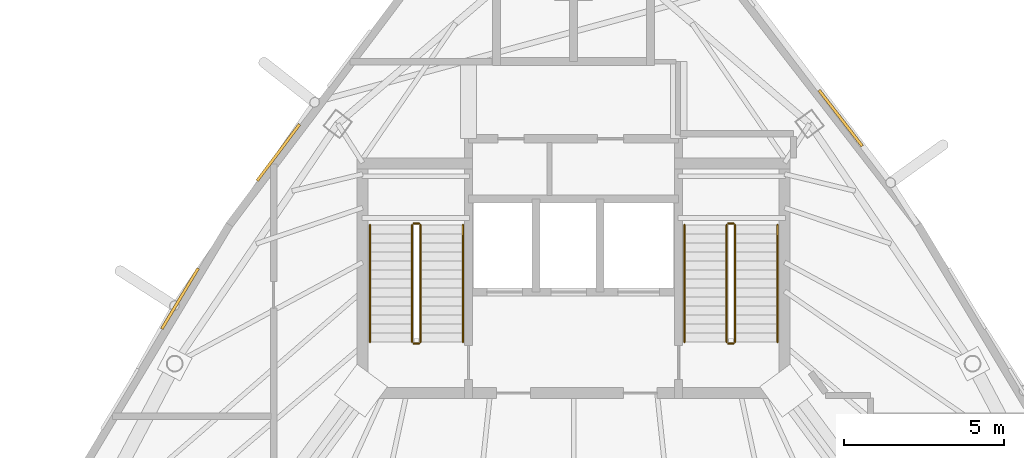
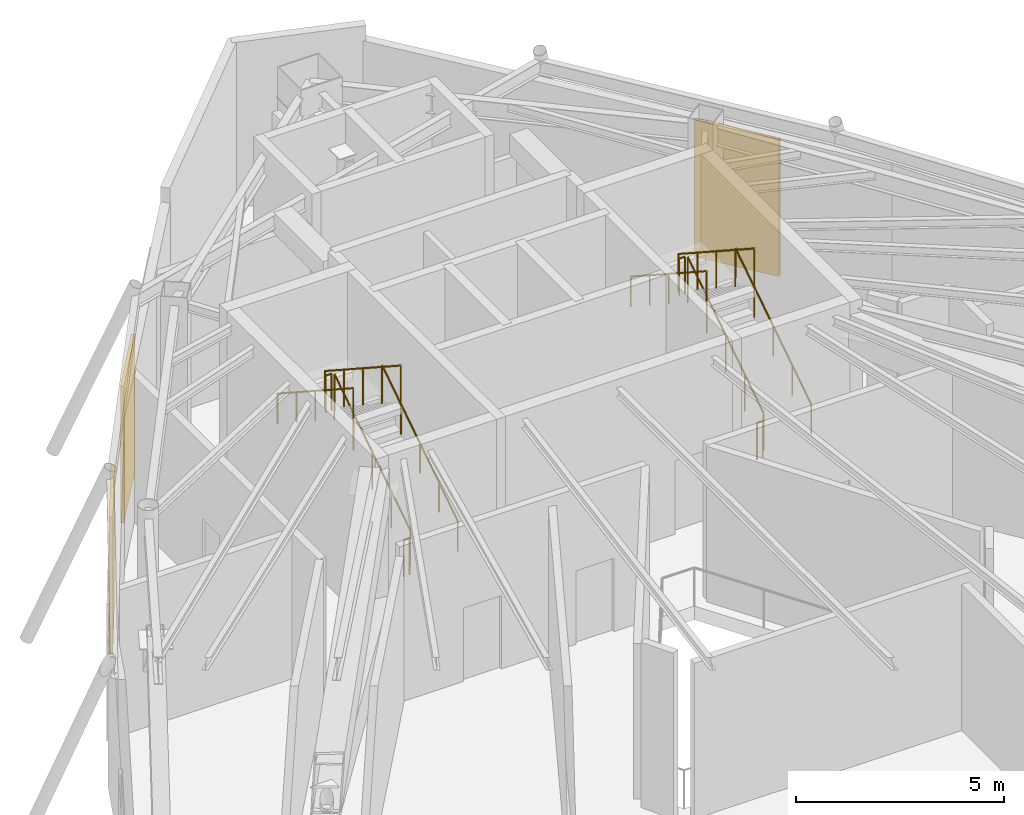
# One storey, part 8 of 9: 12 railings, 3 shading devices.
"""IFC4 building model written with IfcOpenShell, lengths in metres."""

import ifcopenshell
import ifcopenshell.guid

model = None  # the IFC model being written
_history = None  # IfcOwnerHistory: only IFC2X3 demands one
_inside = {}  # id of a spatial element -> (the spatial element, [elements in it])
_under = {}  # id of a project, library or spatial element -> (it, [spatial elements below it])
_declared = {}  # id of a project -> (the project, [libraries it declares])
_typed = {}  # id of a type object -> (the type object, [elements of that type])
_made_of = {}  # id of a material, layer set ... -> (it, [elements and type objects made of it])


def new_model(schema):
    """Start an empty IFC model of exactly this schema.

    Asked for "IFC4X3", IfcOpenShell would pick the latest addendum, in which some entities
    have other attributes; the version numbers below select the first issue.
    IFC2X3 requires an IfcOwnerHistory on every rooted entity: one is made here for all.
    """
    global model, _history
    if schema == "IFC4X3":
        model = ifcopenshell.file(schema_version=(4, 3, 0, 0))
    else:
        model = ifcopenshell.file(schema=schema)
    _inside.clear()
    _under.clear()
    _declared.clear()
    _typed.clear()
    _made_of.clear()
    _history = None
    if model.schema == "IFC2X3":
        org = make("IfcOrganization", Name="unknown")
        user = make(
            "IfcPersonAndOrganization",
            ThePerson=make("IfcPerson", FamilyName="unknown"),
            TheOrganization=org,
        )
        app = make(
            "IfcApplication",
            ApplicationDeveloper=org,
            Version="unknown",
            ApplicationFullName="unknown",
            ApplicationIdentifier="unknown",
        )
        _history = make(
            "IfcOwnerHistory",
            OwningUser=user,
            OwningApplication=app,
            ChangeAction="ADDED",
            CreationDate=0,
        )
    return model


def make(cls, **values):
    """One entity of the class cls with the attributes given. An attribute that is None is left unset."""
    return model.create_entity(
        cls, **{name: value for name, value in values.items() if value is not None}
    )


def rooted(cls, **values):
    """An entity with a GlobalId (a new one), such as an element, a storey or a relation."""
    return make(cls, GlobalId=ifcopenshell.guid.new(), OwnerHistory=_history, **values)


def si_unit(unit_type, name, prefix=None):
    """IfcSIUnit, for example si_unit("LENGTHUNIT", "METRE", prefix="MILLI")."""
    return make("IfcSIUnit", UnitType=unit_type, Prefix=prefix, Name=name)


def assignment(units):
    """IfcUnitAssignment: the units of a project."""
    return None if units is None else make("IfcUnitAssignment", Units=units)


def point(xyz):
    """IfcCartesianPoint."""
    return None if xyz is None else make("IfcCartesianPoint", Coordinates=xyz)


def direction(xyz):
    """IfcDirection."""
    return None if xyz is None else make("IfcDirection", DirectionRatios=xyz)


def frame(location, z_axis=None, x_axis=None):
    """IfcAxis2Placement3D, a coordinate frame: its origin and axes. An axis left out is left unset."""
    return make(
        "IfcAxis2Placement3D",
        Location=point(location),
        Axis=direction(z_axis),
        RefDirection=direction(x_axis),
    )


def frame_2d(location, x_axis=None):
    """IfcAxis2Placement2D, a coordinate frame in the plane: its origin and x axis."""
    return make(
        "IfcAxis2Placement2D", Location=point(location), RefDirection=direction(x_axis)
    )


def origin():
    """The frame at (0, 0, 0) with its axes left unset."""
    return frame((0.0, 0.0, 0.0))


def origin_2d():
    """The frame at (0, 0) in the plane with its x axis left unset."""
    return frame_2d((0.0, 0.0))


def place(relative_to, where):
    """IfcLocalPlacement: puts the frame where relative to a parent placement (None: the world)."""
    return make(
        "IfcLocalPlacement", PlacementRelTo=relative_to, RelativePlacement=where
    )


def context(
    kind, dimensions, precision=None, world=None, true_north=None, identifier=None
):
    """IfcGeometricRepresentationContext, for example the 3D "Model" context."""
    return make(
        "IfcGeometricRepresentationContext",
        ContextIdentifier=identifier,
        ContextType=kind,
        CoordinateSpaceDimension=dimensions,
        Precision=precision,
        WorldCoordinateSystem=world,
        TrueNorth=true_north,
    )


def subcontext(parent, identifier, kind, view, scale=None):
    """IfcGeometricRepresentationSubContext, for example "Body" below "Model"."""
    return make(
        "IfcGeometricRepresentationSubContext",
        ContextIdentifier=identifier,
        ContextType=kind,
        ParentContext=parent,
        TargetScale=scale,
        TargetView=view,
    )


def project(units=None, contexts=None):
    """IfcProject with its units and contexts."""
    return rooted(
        "IfcProject",
        Name="project",
        RepresentationContexts=contexts,
        UnitsInContext=assignment(units),
    )


def spatial(cls, under=None, at=None, **own):
    """A site, building, storey or space (cls), placed at a placement, below another one or the project."""
    s = rooted(cls, ObjectPlacement=at, **own)
    if under is not None:
        _under.setdefault(under.id(), (under, []))[1].append(s)
    return s


def profile(cls, at=None, kind="AREA", **sizes):
    """A parametric profile (cls). Its sizes go by their IFC names, for example OverallWidth=200.0."""
    return make(cls, ProfileType=kind, Position=at, **sizes)


def rectangle(**sizes):
    """IfcRectangleProfileDef."""
    return profile("IfcRectangleProfileDef", **sizes)


def circle(**sizes):
    """IfcCircleProfileDef."""
    return profile("IfcCircleProfileDef", **sizes)


def extrude(swept, where, along, depth):
    """IfcExtrudedAreaSolid: the profile swept, set in the frame where, extruded along a direction by depth."""
    return make(
        "IfcExtrudedAreaSolid",
        SweptArea=swept,
        Position=where,
        ExtrudedDirection=direction(along),
        Depth=depth,
    )


def shape(context_of_items, identifier, shape_type, items):
    """IfcShapeRepresentation: the items that make up one representation, for example the "Body"."""
    return make(
        "IfcShapeRepresentation",
        ContextOfItems=context_of_items,
        RepresentationIdentifier=identifier,
        RepresentationType=shape_type,
        Items=items,
    )


def material(Name=None, Category=None):
    """IfcMaterial."""
    return make("IfcMaterial", Name=Name, Category=Category)


def layer(
    of_material, thickness, ventilated=None, Name=None, Category=None, Priority=None
):
    """IfcMaterialLayer: one layer of a wall or slab, of a material (None: an air gap)."""
    return make(
        "IfcMaterialLayer",
        Material=of_material,
        LayerThickness=thickness,
        IsVentilated=ventilated,
        Name=Name,
        Category=Category,
        Priority=Priority,
    )


def layer_set(layers, Name=None):
    """IfcMaterialLayerSet."""
    return make("IfcMaterialLayerSet", MaterialLayers=layers, LayerSetName=Name)


def made_of(thing, what):
    """Note that an element or type object is made of a material, layer set ...; save() writes the relation."""
    if what is not None:
        _made_of.setdefault(what.id(), (what, []))[1].append(thing)
    return thing


def type_object(cls, material=None, **own):
    """A type object (cls), such as IfcWallType, which elements share."""
    return made_of(rooted(cls, **own), material)


def element(
    cls,
    number,
    at=None,
    inside=None,
    cuts=None,
    type_object=None,
    material=None,
    context=None,
    identifier="Body",
    shape_type=None,
    held_by="IfcProductDefinitionShape",
    body=None,
    shapes=None,
    **own,
):
    """One element of the class cls, such as IfcWall. Its Tag is "e" and its number.

    at: its placement. inside: the storey or other place that contains it. cuts: it is an
    opening in that element (IfcRelVoidsElement). A single representation is given by context,
    identifier, shape_type and body (its items); several are given by shapes. held_by: the class
    of the entity that holds the representations. save() writes the other relations.
    """
    e = rooted(cls, Tag="e%d" % number, ObjectPlacement=at, **own)
    if body is not None:
        shapes = [shape(context, identifier, shape_type, body)]
    if shapes is not None:
        e.Representation = make(held_by, Representations=shapes)
    if inside is not None:
        _inside.setdefault(inside.id(), (inside, []))[1].append(e)
    if cuts is not None:
        rooted(
            "IfcRelVoidsElement", RelatingBuildingElement=cuts, RelatedOpeningElement=e
        )
    if type_object is not None:
        _typed.setdefault(type_object.id(), (type_object, []))[1].append(e)
    return made_of(e, material)


def aggregate(whole, parts):
    """IfcRelAggregates: a whole, such as a stair, and the parts it consists of."""
    return rooted("IfcRelAggregates", RelatingObject=whole, RelatedObjects=parts)


def save(model, path):
    """Write the relations noted so far, then the file.

    IfcRelAggregates (storeys below a building ...), IfcRelContainedInSpatialStructure (elements
    in a storey), IfcRelDefinesByType, IfcRelAssociatesMaterial and IfcRelDeclares: one each for
    every whole, place, type object, material and project.
    """
    for whole, parts in _under.values():
        aggregate(whole, parts)
    for where, things in _inside.values():
        rooted(
            "IfcRelContainedInSpatialStructure",
            RelatedElements=things,
            RelatingStructure=where,
        )
    for kind, things in _typed.values():
        rooted("IfcRelDefinesByType", RelatedObjects=things, RelatingType=kind)
    for what, things in _made_of.values():
        rooted("IfcRelAssociatesMaterial", RelatedObjects=things, RelatingMaterial=what)
    for by, libraries in _declared.values():
        rooted("IfcRelDeclares", RelatingContext=by, RelatedDefinitions=libraries)
    model.write(path)


model = new_model("IFC4")

# Units and contexts
model_context = context("Model", 3, precision=1e-05, world=origin(), true_north=direction((0.0, 1.0)))
body_context = subcontext(model_context, "Body", "Model", "MODEL_VIEW")
ifc_project = project(units=[si_unit("LENGTHUNIT", "METRE"), si_unit("AREAUNIT", "SQUARE_METRE"), si_unit("VOLUMEUNIT", "CUBIC_METRE"), si_unit("PLANEANGLEUNIT", "RADIAN"), si_unit("MASSUNIT", "GRAM", prefix="KILO")], contexts=[model_context])

# Site, building, storey
site_placement = place(None, origin())
site = spatial("IfcSite", under=ifc_project, at=site_placement, CompositionType="ELEMENT")
building_placement = place(site_placement, origin())
building = spatial("IfcBuilding", under=site, at=building_placement, Name="Orvanel Arch Residences", CompositionType="ELEMENT")
storey_placement = place(building_placement, frame((0.0, 0.0, 281.0)))
storey = spatial("IfcBuildingStorey", under=building, at=storey_placement, Name="L80", CompositionType="ELEMENT", Elevation=281.0)

# Shading devices
ifc_material_1 = material(Name="Insulated bronze-anodised aluminium spandrel panel", Category="aluminium")
ifc_layer = layer(ifc_material_1, 0.090087890625)
ifc_layer_set = layer_set([ifc_layer], Name="Insulated bronze-anodised aluminium spandrel panel")
shading_device_type = type_object("IfcShadingDeviceType", Name="LVR-PLT-90", PredefinedType="USERDEFINED", material=ifc_layer_set)
for number, where, z_axis, x_axis, name in (
    (1, (23.800048828125, 34.220947265625, 0.2001953125), (0.0, 0.0, 1.0), (-0.600420225326, -0.799684658487, 0.0), "L80 Mechanical Intake Louvre Panel F1-2"),
    (2, (20.73388671875, 29.6669921875, 0.2001953125), (0.0, 0.0, 1.0), (-0.51503807491, -0.857167300702, 0.0), "L80 Mechanical Intake Louvre Panel F1-3"),
    (3, (41.322021484375, 35.291015625, 0.2001953125), (0.0, 0.0, 1.0), (-0.611527040186, 0.791223532967, 0.0), "L80 Mechanical Intake Louvre Panel F3-5"),
):
    element("IfcShadingDevice", number, at=place(storey_placement, frame(where, z_axis=z_axis, x_axis=x_axis)), inside=storey, type_object=shading_device_type, Name=name, ObjectType="LOUVRE", PredefinedType="USERDEFINED", context=body_context, shape_type="SweptSolid", body=[
        extrude(rectangle(XDim=2.199951171875, YDim=0.090087890625, at=origin_2d()), origin(), (0.0, 0.0, 1.0), 4.013916015625),
    ])

# Railings
ifc_material_2 = material(Name="Structural steel AS/NZS 1163 C350L0 (Grade 350)", Category="steel")
railing_type_1 = type_object("IfcRailingType", Name="RL-STAIR-GUARD", PredefinedType="GUARDRAIL", material=ifc_material_2)
railing_1_placement = place(storey_placement, frame((28.22998046875, 28.320068359375, 0.18212890625)))
element("IfcRailing", 4, at=railing_1_placement, inside=storey, type_object=railing_type_1, Name="L80 ST-1 stair guard 1", PredefinedType="GUARDRAIL", context=body_context, shape_type="SweptSolid", body=[
    extrude(circle(Radius=0.02392578125, at=origin_2d()), frame((0.0, 0.001220703125, 1.076904296875), z_axis=(0.0, 0.838234174257, 0.545310433706), x_axis=(-1.0, 0.0, 0.0)), (0.0, 0.0, 1.0), 4.33935546875),
    extrude(circle(Radius=0.02099609375, at=origin_2d()), origin(), (0.0, 0.0, 1.0), 1.050048828125),
    extrude(circle(Radius=0.02099609375, at=origin_2d()), frame((0.0, 0.909912109375, 0.592041015625)), (0.0, 0.0, 1.0), 1.050048828125),
    extrude(circle(Radius=0.02099609375, at=origin_2d()), frame((0.0, 1.81982421875, 1.18408203125)), (0.0, 0.0, 1.0), 1.050048828125),
    extrude(circle(Radius=0.02099609375, at=origin_2d()), frame((0.0, 2.72998046875, 1.77587890625)), (0.0, 0.0, 1.0), 1.050048828125),
    extrude(circle(Radius=0.02099609375, at=origin_2d()), frame((0.0, 3.639892578125, 2.367919921875)), (0.0, 0.0, 1.0), 1.050048828125),
])
railing_2_placement = place(storey_placement, frame((28.179931640625, 32.010009765625, 2.550048828125)))
element("IfcRailing", 5, at=railing_2_placement, inside=storey, type_object=railing_type_1, Name="L80 ST-1 stair guard 2", PredefinedType="GUARDRAIL", context=body_context, shape_type="SweptSolid", body=[
    extrude(circle(Radius=0.02392578125, at=origin_2d()), frame((-0.00146484375, 0.0, 1.076171875), z_axis=(-1.0, 0.0, 0.0), x_axis=(0.0, -1.0, 0.0)), (0.0, 0.0, 1.0), 0.156982421875),
    extrude(circle(Radius=0.02099609375, at=origin_2d()), origin(), (0.0, 0.0, 1.0), 1.050048828125),
    extrude(circle(Radius=0.02099609375, at=origin_2d()), frame((-0.159912109375, 0.0, 0.0)), (0.0, 0.0, 1.0), 1.050048828125),
])
railing_3_placement = place(storey_placement, frame((27.969970703125, 31.9599609375, 2.732177734375)))
element("IfcRailing", 6, at=railing_3_placement, inside=storey, type_object=railing_type_1, Name="L80 ST-1 stair guard 3", PredefinedType="GUARDRAIL", context=body_context, shape_type="SweptSolid", body=[
    extrude(circle(Radius=0.02392578125, at=origin_2d()), frame((0.0, -0.001220703125, 1.076904296875), z_axis=(0.0, -0.838234174257, 0.545310433706), x_axis=(1.0, 0.0, 0.0)), (0.0, 0.0, 1.0), 4.33935546875),
    extrude(circle(Radius=0.02099609375, at=origin_2d()), origin(), (0.0, 0.0, 1.0), 1.050048828125),
    extrude(circle(Radius=0.02099609375, at=origin_2d()), frame((0.0, -0.909912109375, 0.592041015625)), (0.0, 0.0, 1.0), 1.050048828125),
    extrude(circle(Radius=0.02099609375, at=origin_2d()), frame((0.0, -1.81982421875, 1.18408203125)), (0.0, 0.0, 1.0), 1.050048828125),
    extrude(circle(Radius=0.02099609375, at=origin_2d()), frame((0.0, -2.72998046875, 1.77587890625)), (0.0, 0.0, 1.0), 1.050048828125),
    extrude(circle(Radius=0.02099609375, at=origin_2d()), frame((0.0, -3.639892578125, 2.367919921875)), (0.0, 0.0, 1.0), 1.050048828125),
])
railing_4_placement = place(storey_placement, frame((28.179931640625, 28.27001953125, 0.0)))
element("IfcRailing", 7, at=railing_4_placement, inside=storey, type_object=railing_type_1, Name="L80 ST-1 stair guard 4", PredefinedType="GUARDRAIL", context=body_context, shape_type="SweptSolid", body=[
    extrude(circle(Radius=0.02392578125, at=origin_2d()), frame((-0.00146484375, 0.0, 1.076171875), z_axis=(-1.0, 0.0, 0.0), x_axis=(0.0, -1.0, 0.0)), (0.0, 0.0, 1.0), 0.156982421875),
    extrude(circle(Radius=0.02099609375, at=origin_2d()), origin(), (0.0, 0.0, 1.0), 1.050048828125),
    extrude(circle(Radius=0.02099609375, at=origin_2d()), frame((-0.159912109375, 0.0, 0.0)), (0.0, 0.0, 1.0), 1.050048828125),
])
railing_5_placement = place(storey_placement, frame((38.030029296875, 28.320068359375, 0.18212890625)))
element("IfcRailing", 8, at=railing_5_placement, inside=storey, type_object=railing_type_1, Name="L80 ST-2 stair guard 1", PredefinedType="GUARDRAIL", context=body_context, shape_type="SweptSolid", body=[
    extrude(circle(Radius=0.02392578125, at=origin_2d()), frame((0.0, 0.001220703125, 1.076904296875), z_axis=(0.0, 0.838234174257, 0.545310433706), x_axis=(-1.0, 0.0, 0.0)), (0.0, 0.0, 1.0), 4.33935546875),
    extrude(circle(Radius=0.02099609375, at=origin_2d()), origin(), (0.0, 0.0, 1.0), 1.050048828125),
    extrude(circle(Radius=0.02099609375, at=origin_2d()), frame((0.0, 0.909912109375, 0.592041015625)), (0.0, 0.0, 1.0), 1.050048828125),
    extrude(circle(Radius=0.02099609375, at=origin_2d()), frame((0.0, 1.81982421875, 1.18408203125)), (0.0, 0.0, 1.0), 1.050048828125),
    extrude(circle(Radius=0.02099609375, at=origin_2d()), frame((0.0, 2.72998046875, 1.77587890625)), (0.0, 0.0, 1.0), 1.050048828125),
    extrude(circle(Radius=0.02099609375, at=origin_2d()), frame((0.0, 3.639892578125, 2.367919921875)), (0.0, 0.0, 1.0), 1.050048828125),
])
railing_6_placement = place(storey_placement, frame((37.97998046875, 32.010009765625, 2.550048828125)))
element("IfcRailing", 9, at=railing_6_placement, inside=storey, type_object=railing_type_1, Name="L80 ST-2 stair guard 2", PredefinedType="GUARDRAIL", context=body_context, shape_type="SweptSolid", body=[
    extrude(circle(Radius=0.02392578125, at=origin_2d()), frame((-0.00146484375, 0.0, 1.076171875), z_axis=(-1.0, 0.0, 0.0), x_axis=(0.0, -1.0, 0.0)), (0.0, 0.0, 1.0), 0.156982421875),
    extrude(circle(Radius=0.02099609375, at=origin_2d()), origin(), (0.0, 0.0, 1.0), 1.050048828125),
    extrude(circle(Radius=0.02099609375, at=origin_2d()), frame((-0.159912109375, 0.0, 0.0)), (0.0, 0.0, 1.0), 1.050048828125),
])
railing_7_placement = place(storey_placement, frame((37.77001953125, 31.9599609375, 2.732177734375)))
element("IfcRailing", 10, at=railing_7_placement, inside=storey, type_object=railing_type_1, Name="L80 ST-2 stair guard 3", PredefinedType="GUARDRAIL", context=body_context, shape_type="SweptSolid", body=[
    extrude(circle(Radius=0.02392578125, at=origin_2d()), frame((0.0, -0.001220703125, 1.076904296875), z_axis=(0.0, -0.838234174257, 0.545310433706), x_axis=(1.0, 0.0, 0.0)), (0.0, 0.0, 1.0), 4.33935546875),
    extrude(circle(Radius=0.02099609375, at=origin_2d()), origin(), (0.0, 0.0, 1.0), 1.050048828125),
    extrude(circle(Radius=0.02099609375, at=origin_2d()), frame((0.0, -0.909912109375, 0.592041015625)), (0.0, 0.0, 1.0), 1.050048828125),
    extrude(circle(Radius=0.02099609375, at=origin_2d()), frame((0.0, -1.81982421875, 1.18408203125)), (0.0, 0.0, 1.0), 1.050048828125),
    extrude(circle(Radius=0.02099609375, at=origin_2d()), frame((0.0, -2.72998046875, 1.77587890625)), (0.0, 0.0, 1.0), 1.050048828125),
    extrude(circle(Radius=0.02099609375, at=origin_2d()), frame((0.0, -3.639892578125, 2.367919921875)), (0.0, 0.0, 1.0), 1.050048828125),
])
railing_8_placement = place(storey_placement, frame((37.97998046875, 28.27001953125, 0.0)))
element("IfcRailing", 11, at=railing_8_placement, inside=storey, type_object=railing_type_1, Name="L80 ST-2 stair guard 4", PredefinedType="GUARDRAIL", context=body_context, shape_type="SweptSolid", body=[
    extrude(circle(Radius=0.02392578125, at=origin_2d()), frame((-0.00146484375, 0.0, 1.076171875), z_axis=(-1.0, 0.0, 0.0), x_axis=(0.0, -1.0, 0.0)), (0.0, 0.0, 1.0), 0.156982421875),
    extrude(circle(Radius=0.02099609375, at=origin_2d()), origin(), (0.0, 0.0, 1.0), 1.050048828125),
    extrude(circle(Radius=0.02099609375, at=origin_2d()), frame((-0.159912109375, 0.0, 0.0)), (0.0, 0.0, 1.0), 1.050048828125),
])
railing_type_2 = type_object("IfcRailingType", Name="RL-STAIR-HAND", PredefinedType="HANDRAIL", material=ifc_material_2)
railing_9_placement = place(storey_placement, frame((29.550048828125, 28.320068359375, 0.18212890625)))
element("IfcRailing", 12, at=railing_9_placement, inside=storey, type_object=railing_type_2, Name="L80 ST-1 stair handrail 1", PredefinedType="HANDRAIL", context=body_context, shape_type="SweptSolid", body=[
    extrude(circle(Radius=0.02392578125, at=origin_2d()), frame((0.0, 0.001220703125, 0.876708984375), z_axis=(0.0, 0.838234174257, 0.545310433706), x_axis=(-1.0, 0.0, 0.0)), (0.0, 0.0, 1.0), 4.33935546875),
    extrude(circle(Radius=0.02099609375, at=origin_2d()), origin(), (0.0, 0.0, 1.0), 0.849853515625),
    extrude(circle(Radius=0.02099609375, at=origin_2d()), frame((0.0, 0.909912109375, 0.592041015625)), (0.0, 0.0, 1.0), 0.849853515625),
    extrude(circle(Radius=0.02099609375, at=origin_2d()), frame((0.0, 1.81982421875, 1.18408203125)), (0.0, 0.0, 1.0), 0.849853515625),
    extrude(circle(Radius=0.02099609375, at=origin_2d()), frame((0.0, 2.72998046875, 1.77587890625)), (0.0, 0.0, 1.0), 0.849853515625),
    extrude(circle(Radius=0.02099609375, at=origin_2d()), frame((0.0, 3.639892578125, 2.367919921875)), (0.0, 0.0, 1.0), 0.849853515625),
])
railing_10_placement = place(storey_placement, frame((26.64990234375, 31.9599609375, 2.732177734375)))
element("IfcRailing", 13, at=railing_10_placement, inside=storey, type_object=railing_type_2, Name="L80 ST-1 stair handrail 2", PredefinedType="HANDRAIL", context=body_context, shape_type="SweptSolid", body=[
    extrude(circle(Radius=0.02392578125, at=origin_2d()), frame((0.0, -0.001220703125, 0.876708984375), z_axis=(0.0, -0.838234174257, 0.545310433706), x_axis=(1.0, 0.0, 0.0)), (0.0, 0.0, 1.0), 4.33935546875),
    extrude(circle(Radius=0.02099609375, at=origin_2d()), origin(), (0.0, 0.0, 1.0), 0.849853515625),
    extrude(circle(Radius=0.02099609375, at=origin_2d()), frame((0.0, -0.909912109375, 0.592041015625)), (0.0, 0.0, 1.0), 0.849853515625),
    extrude(circle(Radius=0.02099609375, at=origin_2d()), frame((0.0, -1.81982421875, 1.18408203125)), (0.0, 0.0, 1.0), 0.849853515625),
    extrude(circle(Radius=0.02099609375, at=origin_2d()), frame((0.0, -2.72998046875, 1.77587890625)), (0.0, 0.0, 1.0), 0.849853515625),
    extrude(circle(Radius=0.02099609375, at=origin_2d()), frame((0.0, -3.639892578125, 2.367919921875)), (0.0, 0.0, 1.0), 0.849853515625),
])
railing_11_placement = place(storey_placement, frame((39.35009765625, 28.320068359375, 0.18212890625)))
element("IfcRailing", 14, at=railing_11_placement, inside=storey, type_object=railing_type_2, Name="L80 ST-2 stair handrail 1", PredefinedType="HANDRAIL", context=body_context, shape_type="SweptSolid", body=[
    extrude(circle(Radius=0.02392578125, at=origin_2d()), frame((0.0, 0.001220703125, 0.876708984375), z_axis=(0.0, 0.838234174257, 0.545310433706), x_axis=(-1.0, 0.0, 0.0)), (0.0, 0.0, 1.0), 4.33935546875),
    extrude(circle(Radius=0.02099609375, at=origin_2d()), origin(), (0.0, 0.0, 1.0), 0.849853515625),
    extrude(circle(Radius=0.02099609375, at=origin_2d()), frame((0.0, 0.909912109375, 0.592041015625)), (0.0, 0.0, 1.0), 0.849853515625),
    extrude(circle(Radius=0.02099609375, at=origin_2d()), frame((0.0, 1.81982421875, 1.18408203125)), (0.0, 0.0, 1.0), 0.849853515625),
    extrude(circle(Radius=0.02099609375, at=origin_2d()), frame((0.0, 2.72998046875, 1.77587890625)), (0.0, 0.0, 1.0), 0.849853515625),
    extrude(circle(Radius=0.02099609375, at=origin_2d()), frame((0.0, 3.639892578125, 2.367919921875)), (0.0, 0.0, 1.0), 0.849853515625),
])
railing_12_placement = place(storey_placement, frame((36.449951171875, 31.9599609375, 2.732177734375)))
element("IfcRailing", 15, at=railing_12_placement, inside=storey, type_object=railing_type_2, Name="L80 ST-2 stair handrail 2", PredefinedType="HANDRAIL", context=body_context, shape_type="SweptSolid", body=[
    extrude(circle(Radius=0.02392578125, at=origin_2d()), frame((0.0, -0.001220703125, 0.876708984375), z_axis=(0.0, -0.838234174257, 0.545310433706), x_axis=(1.0, 0.0, 0.0)), (0.0, 0.0, 1.0), 4.33935546875),
    extrude(circle(Radius=0.02099609375, at=origin_2d()), origin(), (0.0, 0.0, 1.0), 0.849853515625),
    extrude(circle(Radius=0.02099609375, at=origin_2d()), frame((0.0, -0.909912109375, 0.592041015625)), (0.0, 0.0, 1.0), 0.849853515625),
    extrude(circle(Radius=0.02099609375, at=origin_2d()), frame((0.0, -1.81982421875, 1.18408203125)), (0.0, 0.0, 1.0), 0.849853515625),
    extrude(circle(Radius=0.02099609375, at=origin_2d()), frame((0.0, -2.72998046875, 1.77587890625)), (0.0, 0.0, 1.0), 0.849853515625),
    extrude(circle(Radius=0.02099609375, at=origin_2d()), frame((0.0, -3.639892578125, 2.367919921875)), (0.0, 0.0, 1.0), 0.849853515625),
])

save(model, "model.ifc")
